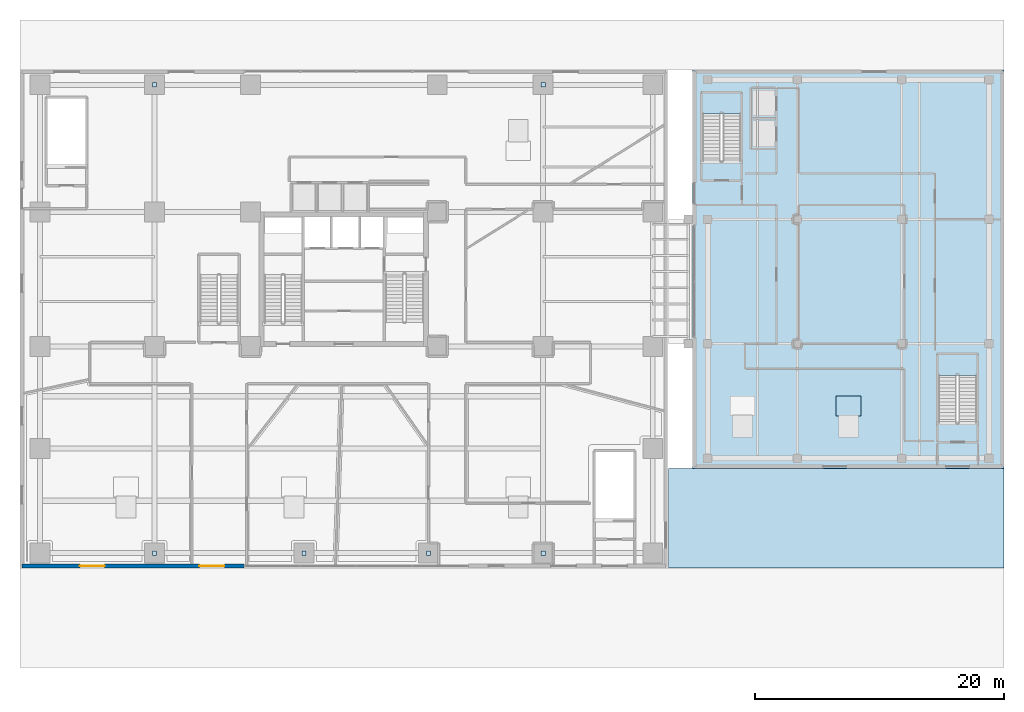
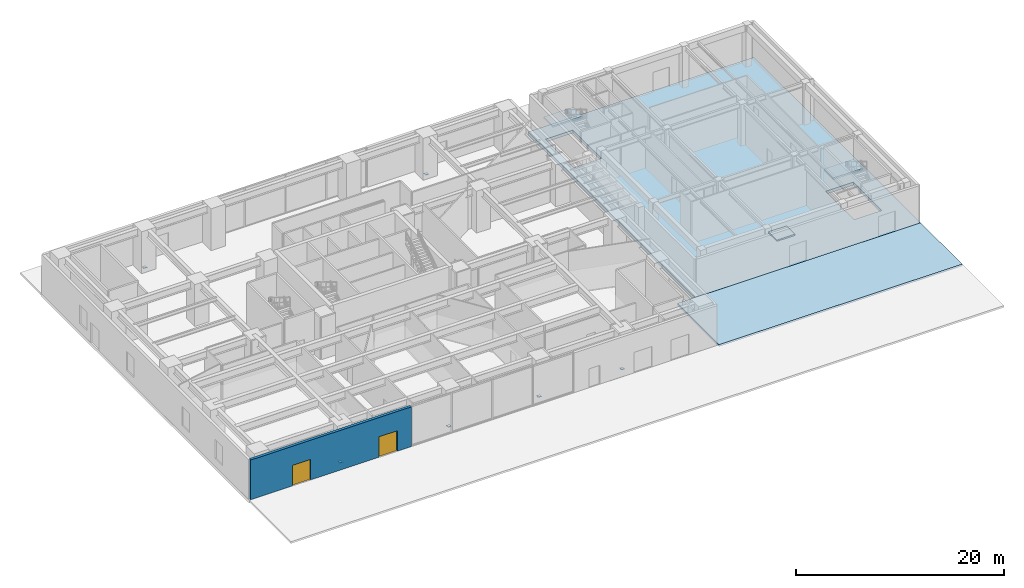
# One storey, part 17 of 28: 6 plates, 5 slabs, 2 doors, 1 wall, 2 openings, 2 elements without a shape of their own.
"""IFC4 building model written with IfcOpenShell, lengths in metres."""

from ifc_helpers import new_model, si_unit, direction, frame, frame_2d, origin, origin_2d, place, context, subcontext, project, spatial, polyline, rectangle, outline, extrude, source, transform, mapped, material, layer, layer_set, type_object, type_shapes, element, fill, aggregate, save


model = new_model("IFC4")

# Units and contexts
model_context = context("Model", 3, precision=1e-05, world=origin(), true_north=direction((0.0, 1.0)))
body_context = subcontext(model_context, "Body", "Model", "MODEL_VIEW")
ifc_project = project(units=[si_unit("LENGTHUNIT", "METRE"), si_unit("AREAUNIT", "SQUARE_METRE"), si_unit("VOLUMEUNIT", "CUBIC_METRE"), si_unit("PLANEANGLEUNIT", "RADIAN"), si_unit("MASSUNIT", "GRAM", prefix="KILO")], contexts=[model_context])

# Site, building, storey
site_placement = place(None, origin())
site = spatial("IfcSite", under=ifc_project, at=site_placement, CompositionType="ELEMENT")
building_placement = place(site_placement, origin())
building = spatial("IfcBuilding", under=site, at=building_placement, Name="Talar Marvaseh", CompositionType="ELEMENT")
storey_placement = place(building_placement, origin())
storey = spatial("IfcBuildingStorey", under=building, at=storey_placement, Name="L00", CompositionType="ELEMENT", Elevation=0.0)

# Slab
ifc_material_1 = material(Name="Precast concrete C45/55", Category="concrete")
ifc_layer_1 = layer(ifc_material_1, 0.215087890625)
ifc_layer_set_1 = layer_set([ifc_layer_1], Name="Precast concrete C45/55")
slab_type_1 = type_object("IfcSlabType", Name="Chahar-Bagh Public Plaza Granite Paving Slab 215", PredefinedType="USERDEFINED", material=ifc_layer_set_1)
slab_1_placement = place(storey_placement, frame((0.0, 0.0, -0.215087890625)))
element("IfcSlab", 1, at=slab_1_placement, inside=storey, type_object=slab_type_1, Name="L00 Chahar-Bagh Public Plaza Paving 2", ObjectType="PAVING", PredefinedType="USERDEFINED", context=body_context, shape_type="SweptSolid", body=[
    extrude(outline(polyline([(52.050048828125, 8.0), (79.0, 8.0), (79.0, 16.0), (52.050048828125, 16.0), (52.050048828125, 8.0)])), origin(), (0.0, 0.0, 1.0), 0.215087890625),
])

# Stair, slab
ifc_material_2 = material(Name="Concrete C40/50", Category="concrete")
stair_type = type_object("IfcStairType", Name="Reinforced Concrete Half-Turn Exit Stair Type A", PredefinedType="HALF_TURN_STAIR", material=ifc_material_2)
stair_1_placement = place(storey_placement, origin())
stair_1 = element("IfcStair", 2, at=stair_1_placement, inside=storey, type_object=stair_type, Name="L00 Market Hall North-West Exit Stair", PredefinedType="HALF_TURN_STAIR")
ifc_layer_2 = layer(ifc_material_2, 0.199951171875)
ifc_layer_set_2 = layer_set([ifc_layer_2], Name="Concrete C40/50")
slab_type_2 = type_object("IfcSlabType", Name="Reinforced Concrete Stair Half-Landing Slab 200", PredefinedType="LANDING", material=ifc_layer_set_2)
slab_2_placement = place(storey_placement, frame((0.0, 0.0, 2.39990234375)))
slab_2 = element("IfcSlab", 3, at=slab_2_placement, type_object=slab_type_2, Name="MH-ST1 landing 1", PredefinedType="LANDING", context=body_context, shape_type="SweptSolid", body=[
    extrude(outline(polyline([(57.97998046875, 44.449951171875), (57.97998046875, 46.219970703125), (54.679931640625, 46.219970703125), (54.679931640625, 44.449951171875), (57.97998046875, 44.449951171875)])), origin(), (0.0, 0.0, 1.0), 0.2001953125),
])
aggregate(stair_1, [slab_2])

stair_2_placement = place(storey_placement, origin())
stair_2 = element("IfcStair", 4, at=stair_2_placement, inside=storey, type_object=stair_type, Name="L00 Market Hall South-East Exit Stair", PredefinedType="HALF_TURN_STAIR")
slab_3_placement = place(storey_placement, frame((0.0, 0.0, 2.39990234375)))
slab_3 = element("IfcSlab", 5, at=slab_3_placement, type_object=slab_type_2, Name="MH-ST2 landing 1", PredefinedType="LANDING", context=body_context, shape_type="SweptSolid", body=[
    extrude(outline(polyline([(76.919921875, 23.449951171875), (76.919921875, 25.219970703125), (73.6201171875, 25.219970703125), (73.6201171875, 23.449951171875), (76.919921875, 23.449951171875)])), origin(), (0.0, 0.0, 1.0), 0.2001953125),
])
aggregate(stair_2, [slab_3])

# Slabs
slab_4_placement = place(storey_placement, origin())
element("IfcSlab", 6, at=slab_4_placement, inside=storey, type_object=slab_type_2, Name="L00 Market Central Threshold Accessible Ramp Top Landing Plinth", PredefinedType="LANDING", context=body_context, shape_type="SweptSolid", body=[
    extrude(outline(polyline([(65.5, 20.199951171875), (67.5, 20.199951171875), (67.5, 21.800048828125), (65.5, 21.800048828125), (65.5, 20.199951171875)])), origin(), (0.0, 0.0, 1.0), 0.14990234375),
])
ifc_material_3 = material(Name="Concrete C50/60", Category="concrete")
ifc_layer_3 = layer(ifc_material_3, 0.35009765625)
ifc_layer_set_3 = layer_set([ifc_layer_3], Name="Concrete C50/60")
slab_type_3 = type_object("IfcSlabType", Name="Structural Suspended Floor Slab 350", PredefinedType="FLOOR", material=ifc_layer_set_3)
slab_5_placement = place(storey_placement, frame((0.0, 0.0, -0.35009765625)))
element("IfcSlab", 7, at=slab_5_placement, inside=storey, type_object=slab_type_3, Name="L00 Market Hall Bazaar Floor Slab", PredefinedType="FLOOR", context=body_context, shape_type="SweptSolid", body=[
    extrude(outline(polyline([(54.0, 16.0), (79.0, 16.0), (79.0, 48.0), (54.0, 48.0), (54.0, 16.0)]), holes=[polyline([(57.860107421875, 40.64990234375), (57.860107421875, 46.10009765625), (54.800048828125, 46.10009765625), (54.800048828125, 40.64990234375), (57.860107421875, 40.64990234375)]), polyline([(76.800048828125, 19.64990234375), (76.800048828125, 25.10009765625), (73.739990234375, 25.10009765625), (73.739990234375, 19.64990234375), (76.800048828125, 19.64990234375)])]), origin(), (0.0, 0.0, 1.0), 0.35009765625),
])

# Plates
ifc_material_4 = material(Name="Steel S460", Category="steel")
ifc_layer_4 = layer(ifc_material_4, 0.02001953125)
ifc_layer_set_4 = layer_set([ifc_layer_4], Name="Steel S460")
plate_type = type_object("IfcPlateType", Name="Pedestal Box End Closure Cap Plate 20", PredefinedType="USERDEFINED", material=ifc_layer_set_4)
shared_shape_1 = source(origin(), body_context, "Body", "SweptSolid", [
    extrude(rectangle(XDim=0.35009765625, YDim=0.35009765625, at=origin_2d()), origin(), (0.0, 0.0, 1.0), 0.02001953125),
])
type_shapes(plate_type, [shared_shape_1])
for number, where, z_axis, x_axis, name in (
    (8, (10.800048828125, 9.199951171875, 0.0), (0.0, 0.0, 1.0), (1.0, 0.0, 0.0), "L00 Podium Pier Anchor Plate 1"),
    (9, (22.800048828125, 9.199951171875, 0.0), (0.0, 0.0, 1.0), (1.0, 0.0, 0.0), "L00 Podium Pier Anchor Plate 2"),
    (10, (32.800048828125, 9.199951171875, 0.0), (0.0, 0.0, 1.0), (1.0, 0.0, 0.0), "L00 Podium Pier Anchor Plate 3"),
    (11, (42.0, 9.199951171875, 0.0), (0.0, 0.0, 1.0), (1.0, 0.0, 0.0), "L00 Podium Pier Anchor Plate 4"),
    (12, (10.800048828125, 46.800048828125, 0.0), (0.0, 0.0, 1.0), (1.0, 0.0, 0.0), "L00 Podium Pier Anchor Plate 5"),
    (13, (42.0, 46.800048828125, 0.0), (0.0, 0.0, 1.0), (1.0, 0.0, 0.0), "L00 Podium Pier Anchor Plate 6"),
):
    element("IfcPlate", number, at=place(storey_placement, frame(where, z_axis=z_axis, x_axis=x_axis)), inside=storey, type_object=plate_type, Name=name, ObjectType="CAP_PLATE", PredefinedType="USERDEFINED", context=body_context, shape_type="MappedRepresentation", body=[
        mapped(shared_shape_1, transform((0.0, 0.0, 0.0), x_axis=(1.0, 0.0, 0.0), y_axis=(0.0, 1.0, 0.0), z_axis=(0.0, 0.0, 1.0), scale=1.0)),
    ])

# Wall, openings, doors
ifc_layer_5 = layer(ifc_material_1, 0.31005859375)
ifc_layer_set_5 = layer_set([ifc_layer_5], Name="Precast concrete C45/55")
wall_type = type_object("IfcWallType", Name="Architectural Precast Limestone Podium Facade Wall 310", PredefinedType="SOLIDWALL", material=ifc_layer_set_5)
wall_placement = place(storey_placement, frame((18.0, 8.159912109375, 0.0), z_axis=(0.0, 0.0, 1.0), x_axis=(-1.0, 0.0, 0.0)))
wall = element("IfcWall", 14, at=wall_placement, inside=storey, type_object=wall_type, Name="L00 Podium South-West Facade Wall", PredefinedType="SOLIDWALL", context=body_context, shape_type="SweptSolid", body=[
    extrude(rectangle(XDim=17.840087890625, YDim=0.31005859375, at=frame_2d((8.919921875, 0.0))), origin(), (0.0, 0.0, 1.0), 4.64990234375),
])
opening_1_placement = place(wall_placement, frame((1.60009765625, 0.0, 0.0)))
opening_1 = element("IfcOpeningElement", 15, at=opening_1_placement, cuts=wall, Name="Opening DR-EXT20", PredefinedType="OPENING", context=body_context, shape_type="SweptSolid", body=[
    extrude(rectangle(XDim=2.0, YDim=2.39990234375, at=frame_2d((1.0, 1.199951171875))), frame((0.0, 0.1650390625, 0.0), z_axis=(0.0, -1.0, 0.0), x_axis=(1.0, 0.0, 0.0)), (0.0, 0.0, 1.0), 0.330078125),
])
opening_2_placement = place(wall_placement, frame((11.199951171875, 0.0, 0.0)))
opening_2 = element("IfcOpeningElement", 16, at=opening_2_placement, cuts=wall, Name="Opening DR-EXT20", PredefinedType="OPENING", context=body_context, shape_type="SweptSolid", body=[
    extrude(rectangle(XDim=2.0, YDim=2.39990234375, at=frame_2d((1.0, 1.199951171875))), frame((0.0, 0.1650390625, 0.0), z_axis=(0.0, -1.0, 0.0), x_axis=(1.0, 0.0, 0.0)), (0.0, 0.0, 1.0), 0.330078125),
])
ifc_material_5 = material(Name="Architectural Aluminium", Category="aluminium")
door_type = type_object("IfcDoorType", Name="Ground Plaza Double Egress Entrance Door 2000x2400", OperationType="NOTDEFINED", PredefinedType="DOOR", material=ifc_material_5)
shared_shape_2 = source(origin(), body_context, "Body", "SweptSolid", [
    extrude(rectangle(XDim=2.0, YDim=2.39990234375, at=frame_2d((1.0, 1.199951171875))), frame((0.0, 0.02490234375, 0.0), z_axis=(0.0, -1.0, 0.0), x_axis=(1.0, 0.0, 0.0)), (0.0, 0.0, 1.0), 0.050048828125),
])
type_shapes(door_type, [shared_shape_2])
door_1_placement = place(opening_1_placement, origin())
door_1 = element("IfcDoor", 17, at=door_1_placement, inside=storey, type_object=door_type, Name="L00 Tower Core Stair Protected Exit Passage Door", OperationType="DOUBLE_DOOR_SINGLE_SWING", OverallHeight=2.39990234375, OverallWidth=2.0, PredefinedType="DOOR", context=body_context, shape_type="MappedRepresentation", body=[
    mapped(shared_shape_2, transform((0.0, 0.0, 0.0), x_axis=(1.0, 0.0, 0.0), y_axis=(0.0, 1.0, 0.0), z_axis=(0.0, 0.0, 1.0), scale=1.0)),
])
fill(opening_1, door_1)
door_2_placement = place(opening_2_placement, origin())
door_2 = element("IfcDoor", 18, at=door_2_placement, inside=storey, type_object=door_type, Name="L00 Cultural Foyer South-West Plaza Exit Door", OperationType="DOUBLE_DOOR_SINGLE_SWING", OverallHeight=2.39990234375, OverallWidth=2.0, PredefinedType="DOOR", context=body_context, shape_type="MappedRepresentation", body=[
    mapped(shared_shape_2, transform((0.0, 0.0, 0.0), x_axis=(1.0, 0.0, 0.0), y_axis=(0.0, 1.0, 0.0), z_axis=(0.0, 0.0, 1.0), scale=1.0)),
])
fill(opening_2, door_2)

save(model, "model.ifc")
